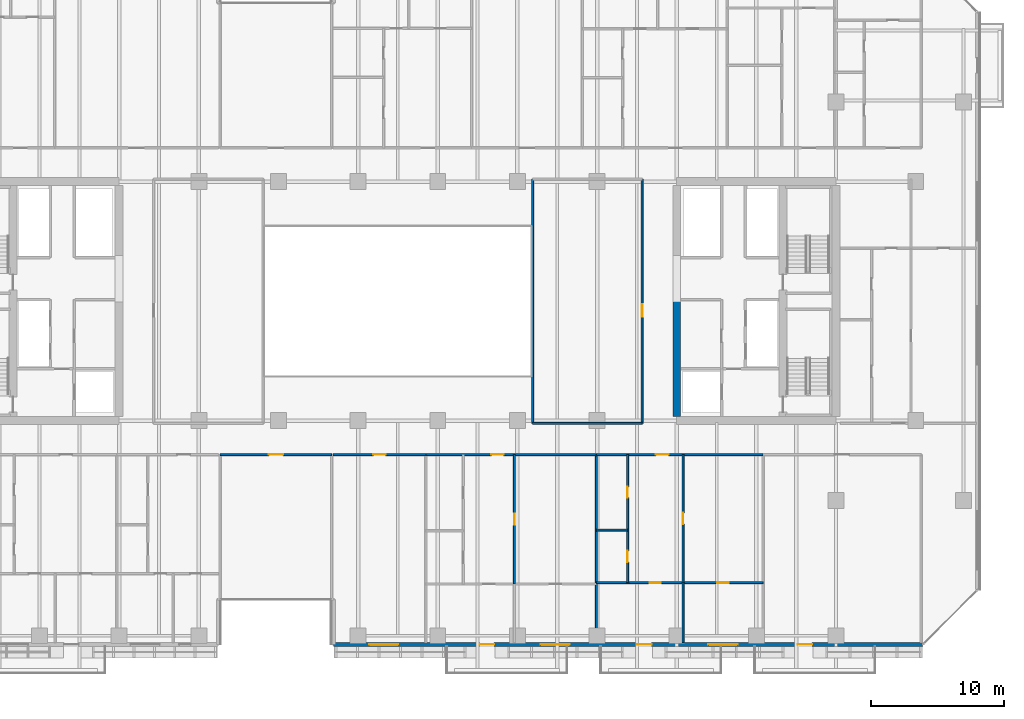
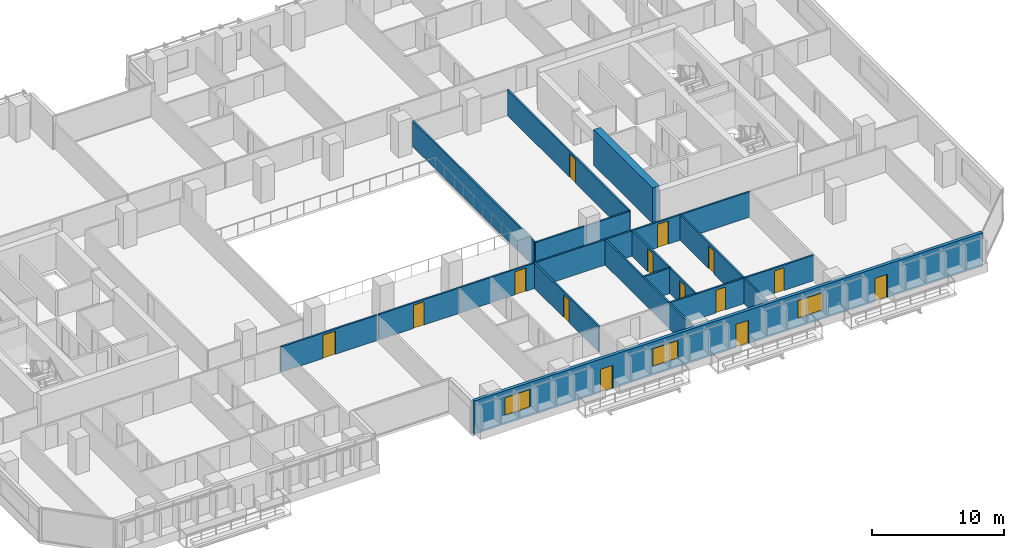
# One storey, part 20 of 33: 16 walls, 14 doors, 3 windows, 17 openings.
"""IFC4 building model written with IfcOpenShell, lengths in metres."""

from ifc_helpers import new_model, si_unit, direction, frame, frame_2d, origin, place, context, subcontext, project, spatial, rectangle, extrude, material, layer, layer_set, type_object, element, fill, save


model = new_model("IFC4")

# Units and contexts
model_context = context("Model", 3, precision=1e-05, world=origin(), true_north=direction((0.0, 1.0)))
body_context = subcontext(model_context, "Body", "Model", "MODEL_VIEW")
ifc_project = project(units=[si_unit("LENGTHUNIT", "METRE"), si_unit("AREAUNIT", "SQUARE_METRE"), si_unit("VOLUMEUNIT", "CUBIC_METRE"), si_unit("PLANEANGLEUNIT", "RADIAN"), si_unit("MASSUNIT", "GRAM", prefix="KILO")], contexts=[model_context])

# Site, building, storey
site_placement = place(None, origin())
site = spatial("IfcSite", under=ifc_project, at=site_placement, CompositionType="ELEMENT")
building_placement = place(site_placement, origin())
building = spatial("IfcBuilding", under=site, at=building_placement, Name="Tanjung Sevakor Pilgrim Tower", CompositionType="ELEMENT")
storey_placement = place(building_placement, frame((0.0, 0.0, 52.139892578125)))
storey = spatial("IfcBuildingStorey", under=building, at=storey_placement, Name="L14", CompositionType="ELEMENT", Elevation=52.139892578125)

# Walls
ifc_material_1 = material(Name="Concrete C60/75", Category="concrete")
ifc_layer_1 = layer(ifc_material_1, 0.60009765625)
ifc_layer_set_1 = layer_set([ifc_layer_1], Name="WALL-CW-600")
wall_type_1 = type_object("IfcWallType", Name="WALL-CW-600", PredefinedType="SHEAR", material=ifc_layer_set_1)
wall_1_placement = place(storey_placement, frame((78.0, 24.89990234375, 0.0), z_axis=(0.0, 0.0, 1.0), x_axis=(0.0, 1.0, 0.0)))
element("IfcWall", 1, at=wall_1_placement, inside=storey, type_object=wall_type_1, Name="L14 E Core Inner Shear Wall South", PredefinedType="SHEAR", context=body_context, shape_type="SweptSolid", body=[
    extrude(rectangle(XDim=8.900146484375, YDim=0.60009765625, at=frame_2d((4.4501953125, 0.0))), origin(), (0.0, 0.0, 1.0), 3.300048828125),
])
ifc_material_2 = material(Name="Concrete C40/50", Category="concrete")
ifc_layer_2 = layer(ifc_material_2, 0.14990234375)
ifc_layer_set_2 = layer_set([ifc_layer_2], Name="WT-COMP-150")
wall_type_2 = type_object("IfcWallType", Name="WT-COMP-150", PredefinedType="SOLIDWALL", material=ifc_layer_set_2)
wall_2_placement = place(storey_placement, frame((67.14990234375, 24.39990234375, 0.0), z_axis=(0.0, 0.0, 1.0), x_axis=(1.0, 0.0, 0.0)))
element("IfcWall", 2, at=wall_2_placement, inside=storey, type_object=wall_type_2, Name="L14 Partition IW-L14-025", PredefinedType="SOLIDWALL", context=body_context, shape_type="SweptSolid", body=[
    extrude(rectangle(XDim=8.25, YDim=0.14990234375, at=frame_2d((4.125, 0.0))), origin(), (0.0, 0.0, 1.0), 2.295166015625),
])
wall_3_placement = place(storey_placement, frame((67.14990234375, 24.39990234375, 0.0), z_axis=(0.0, 0.0, 1.0), x_axis=(0.0, 1.0, 0.0)))
element("IfcWall", 3, at=wall_3_placement, inside=storey, type_object=wall_type_2, Name="L14 Partition IW-L14-027", PredefinedType="SOLIDWALL", context=body_context, shape_type="SweptSolid", body=[
    extrude(rectangle(XDim=18.400146484375, YDim=0.14990234375, at=frame_2d((9.2001953125, 0.0))), origin(), (0.0, 0.0, 1.0), 2.35009765625),
])

# Wall, opening, door
wall_4_placement = place(storey_placement, frame((75.39990234375, 24.39990234375, 0.0), z_axis=(0.0, 0.0, 1.0), x_axis=(0.0, 1.0, 0.0)))
wall_4 = element("IfcWall", 4, at=wall_4_placement, inside=storey, type_object=wall_type_2, Name="L14 Partition IW-L14-028", PredefinedType="SOLIDWALL", context=body_context, shape_type="SweptSolid", body=[
    extrude(rectangle(XDim=18.400146484375, YDim=0.14990234375, at=frame_2d((9.2001953125, 0.0))), origin(), (0.0, 0.0, 1.0), 2.35009765625),
])
opening_1_placement = place(wall_4_placement, frame((8.02490234375, 0.0, 0.0)))
opening_1 = element("IfcOpeningElement", 5, at=opening_1_placement, cuts=wall_4, Name="Opening ID-RM1", PredefinedType="OPENING", context=body_context, shape_type="SweptSolid", body=[
    extrude(rectangle(XDim=0.949951171875, YDim=2.14990234375, at=frame_2d((0.47509765625, 1.074951171875))), frame((0.0, 0.0849609375, 0.0), z_axis=(0.0, -1.0, 0.0), x_axis=(1.0, 0.0, 0.0)), (0.0, 0.0, 1.0), 0.169921875),
])
ifc_material_3 = material(Name="Hardwood Timber", Category="wood")
door_type_1 = type_object("IfcDoorType", Name="DT-INT-950", OperationType="NOTDEFINED", PredefinedType="DOOR", material=ifc_material_3)
door_1_placement = place(opening_1_placement, origin())
door_1 = element("IfcDoor", 6, at=door_1_placement, inside=storey, type_object=door_type_1, Name="L14 Central East Room Door", OperationType="SINGLE_SWING_LEFT", OverallHeight=2.14990234375, OverallWidth=0.949951171875, PredefinedType="DOOR", context=body_context, shape_type="SweptSolid", body=[
    extrude(rectangle(XDim=0.949951171875, YDim=2.14990234375, at=frame_2d((0.47509765625, 1.074951171875))), frame((0.0, 0.02490234375, 0.0), z_axis=(0.0, -1.0, 0.0), x_axis=(1.0, 0.0, 0.0)), (0.0, 0.0, 1.0), 0.050048828125),
])
fill(opening_1, door_1)

wall_5_placement = place(storey_placement, frame((43.60009765625, 22.050048828125, 0.0), z_axis=(0.0, 0.0, 1.0), x_axis=(1.0, 0.0, 0.0)))
wall_5 = element("IfcWall", 7, at=wall_5_placement, inside=storey, type_object=wall_type_2, Name="L14 Partition IW-L14-036", PredefinedType="SOLIDWALL", context=body_context, shape_type="SweptSolid", body=[
    extrude(rectangle(XDim=8.39990234375, YDim=0.14990234375, at=frame_2d((4.199951171875, 0.0))), origin(), (0.0, 0.0, 1.0), 2.35009765625),
])
opening_2_placement = place(wall_5_placement, frame((3.64990234375, 0.0, 0.0)))
opening_2 = element("IfcOpeningElement", 8, at=opening_2_placement, cuts=wall_5, Name="Opening ID-RM2", PredefinedType="OPENING", context=body_context, shape_type="SweptSolid", body=[
    extrude(rectangle(XDim=1.10009765625, YDim=2.14990234375, at=frame_2d((0.550048828125, 1.074951171875))), frame((0.0, 0.0849609375, 0.0), z_axis=(0.0, -1.0, 0.0), x_axis=(1.0, 0.0, 0.0)), (0.0, 0.0, 1.0), 0.169921875),
])
ifc_material_4 = material(Name="Hardwood Timber", Category="wood")
door_type_2 = type_object("IfcDoorType", Name="DT-INT-1100", OperationType="NOTDEFINED", PredefinedType="DOOR", material=ifc_material_4)
door_2_placement = place(opening_2_placement, origin())
door_2 = element("IfcDoor", 9, at=door_2_placement, inside=storey, type_object=door_type_2, Name="L14 South Cleft Observatory Door", OperationType="SINGLE_SWING_LEFT", OverallHeight=2.14990234375, OverallWidth=1.10009765625, PredefinedType="DOOR", context=body_context, shape_type="SweptSolid", body=[
    extrude(rectangle(XDim=1.10009765625, YDim=2.14990234375, at=frame_2d((0.550048828125, 1.074951171875))), frame((0.0, 0.02490234375, 0.0), z_axis=(0.0, -1.0, 0.0), x_axis=(1.0, 0.0, 0.0)), (0.0, 0.0, 1.0), 0.050048828125),
])
fill(opening_2, door_2)

wall_6_placement = place(storey_placement, frame((52.1201171875, 22.050048828125, 0.0), z_axis=(0.0, 0.0, 1.0), x_axis=(1.0, 0.0, 0.0)))
wall_6 = element("IfcWall", 10, at=wall_6_placement, inside=storey, type_object=wall_type_2, Name="L14 Partition IW-L14-058", PredefinedType="SOLIDWALL", context=body_context, shape_type="SweptSolid", body=[
    extrude(rectangle(XDim=6.979736328125, YDim=0.14990234375, at=frame_2d((3.48974609375, 0.0))), origin(), (0.0, 0.0, 1.0), 2.35009765625),
])
opening_3_placement = place(wall_6_placement, frame((3.014892578125, 0.0, 0.0)))
opening_3 = element("IfcOpeningElement", 11, at=opening_3_placement, cuts=wall_6, Name="Opening ID-FD2", PredefinedType="OPENING", context=body_context, shape_type="SweptSolid", body=[
    extrude(rectangle(XDim=0.949951171875, YDim=2.14990234375, at=frame_2d((0.47509765625, 1.074951171875))), frame((0.0, 0.0849609375, 0.0), z_axis=(0.0, -1.0, 0.0), x_axis=(1.0, 0.0, 0.0)), (0.0, 0.0, 1.0), 0.169921875),
])
ifc_material_5 = material(Name="Fire-Rated Timber", Category="wood")
door_type_3 = type_object("IfcDoorType", Name="DT-FIRE-950", OperationType="NOTDEFINED", PredefinedType="DOOR", material=ifc_material_5)
door_3_placement = place(opening_3_placement, origin())
door_3 = element("IfcDoor", 12, at=door_3_placement, inside=storey, type_object=door_type_3, Name="Housekeeping Pantry Door", OperationType="SINGLE_SWING_RIGHT", OverallHeight=2.14990234375, OverallWidth=0.949951171875, PredefinedType="DOOR", context=body_context, shape_type="SweptSolid", body=[
    extrude(rectangle(XDim=0.949951171875, YDim=2.14990234375, at=frame_2d((0.47509765625, 1.074951171875))), frame((0.0, 0.02490234375, 0.0), z_axis=(0.0, -1.0, 0.0), x_axis=(1.0, 0.0, 0.0)), (0.0, 0.0, 1.0), 0.050048828125),
])
fill(opening_3, door_3)

# Wall
wall_7_placement = place(storey_placement, frame((71.942626953125, 7.8798828125, 0.0), z_axis=(0.0, 0.0, 1.0), x_axis=(0.0, 1.0, 0.0)))
element("IfcWall", 13, at=wall_7_placement, inside=storey, type_object=wall_type_2, Name="L14 Partition IW-L14-059", PredefinedType="SOLIDWALL", context=body_context, shape_type="SweptSolid", body=[
    extrude(rectangle(XDim=14.170166015625, YDim=0.14990234375, at=frame_2d((7.0849609375, 0.0))), origin(), (0.0, 0.0, 1.0), 2.35009765625),
])

# Wall, opening, door
wall_8_placement = place(storey_placement, frame((59.099853515625, 22.050048828125, 0.0), z_axis=(0.0, 0.0, 1.0), x_axis=(1.0, 0.0, 0.0)))
wall_8 = element("IfcWall", 14, at=wall_8_placement, inside=storey, type_object=wall_type_2, Name="L14 Partition IW-L14-065", PredefinedType="SOLIDWALL", context=body_context, shape_type="SweptSolid", body=[
    extrude(rectangle(XDim=12.8427734375, YDim=0.14990234375, at=frame_2d((6.42138671875, 0.0))), origin(), (0.0, 0.0, 1.0), 2.35009765625),
])
opening_4_placement = place(wall_8_placement, frame((4.916015625, 0.0, 0.0)))
opening_4 = element("IfcOpeningElement", 15, at=opening_4_placement, cuts=wall_8, Name="Opening ID-FD2", PredefinedType="OPENING", context=body_context, shape_type="SweptSolid", body=[
    extrude(rectangle(XDim=0.949951171875, YDim=2.14990234375, at=frame_2d((0.47509765625, 1.074951171875))), frame((0.0, 0.0849609375, 0.0), z_axis=(0.0, -1.0, 0.0), x_axis=(1.0, 0.0, 0.0)), (0.0, 0.0, 1.0), 0.169921875),
])
door_4_placement = place(opening_4_placement, origin())
door_4 = element("IfcDoor", 16, at=door_4_placement, inside=storey, type_object=door_type_3, Name="Suite Entrance", OperationType="SINGLE_SWING_RIGHT", OverallHeight=2.14990234375, OverallWidth=0.949951171875, PredefinedType="DOOR", context=body_context, shape_type="SweptSolid", body=[
    extrude(rectangle(XDim=0.949951171875, YDim=2.14990234375, at=frame_2d((0.47509765625, 1.074951171875))), frame((0.0, 0.02490234375, 0.0), z_axis=(0.0, -1.0, 0.0), x_axis=(1.0, 0.0, 0.0)), (0.0, 0.0, 1.0), 0.050048828125),
])
fill(opening_4, door_4)

wall_9_placement = place(storey_placement, frame((71.942626953125, 22.050048828125, 0.0), z_axis=(0.0, 0.0, 1.0), x_axis=(1.0, 0.0, 0.0)))
wall_9 = element("IfcWall", 17, at=wall_9_placement, inside=storey, type_object=wall_type_2, Name="L14 Partition IW-L14-072", PredefinedType="SOLIDWALL", context=body_context, shape_type="SweptSolid", body=[
    extrude(rectangle(XDim=12.563720703125, YDim=0.14990234375, at=frame_2d((6.28173828125, 0.0))), origin(), (0.0, 0.0, 1.0), 2.35009765625),
])
opening_5_placement = place(wall_9_placement, frame((4.493408203125, 0.0, 0.0)))
opening_5 = element("IfcOpeningElement", 18, at=opening_5_placement, cuts=wall_9, Name="Opening ID-FD2", PredefinedType="OPENING", context=body_context, shape_type="SweptSolid", body=[
    extrude(rectangle(XDim=0.949951171875, YDim=2.14990234375, at=frame_2d((0.47509765625, 1.074951171875))), frame((0.0, 0.0849609375, 0.0), z_axis=(0.0, -1.0, 0.0), x_axis=(1.0, 0.0, 0.0)), (0.0, 0.0, 1.0), 0.169921875),
])
door_5_placement = place(opening_5_placement, origin())
door_5 = element("IfcDoor", 19, at=door_5_placement, inside=storey, type_object=door_type_3, Name="Suite Entrance", OperationType="SINGLE_SWING_RIGHT", OverallHeight=2.14990234375, OverallWidth=0.949951171875, PredefinedType="DOOR", context=body_context, shape_type="SweptSolid", body=[
    extrude(rectangle(XDim=0.949951171875, YDim=2.14990234375, at=frame_2d((0.47509765625, 1.074951171875))), frame((0.0, 0.02490234375, 0.0), z_axis=(0.0, -1.0, 0.0), x_axis=(1.0, 0.0, 0.0)), (0.0, 0.0, 1.0), 0.050048828125),
])
fill(opening_5, door_5)

# Wall, openings, doors, windows
ifc_material_6 = material(Name="Precast concrete C45/55", Category="concrete")
ifc_layer_3 = layer(ifc_material_6, 0.280029296875)
ifc_layer_set_3 = layer_set([ifc_layer_3], Name="WT-EW-STN2")
wall_type_3 = type_object("IfcWallType", Name="WT-EW-STN2", PredefinedType="SOLIDWALL", material=ifc_layer_set_3)
wall_10_placement = place(storey_placement, frame((52.139892578125, 7.739990234375, 0.0), z_axis=(0.0, 0.0, 1.0), x_axis=(1.0, 0.0, 0.0)))
wall_10 = element("IfcWall", 20, at=wall_10_placement, inside=storey, type_object=wall_type_3, Name="L14 MAIN Exterior Wall 5", PredefinedType="SOLIDWALL", context=body_context, shape_type="SweptSolid", body=[
    extrude(rectangle(XDim=44.402099609375, YDim=0.280029296875, at=frame_2d((22.201171875, 0.0))), origin(), (0.0, 0.0, 1.0), 3.080078125),
])
opening_6_placement = place(wall_10_placement, frame((11.010009765625, 0.0, 0.0)))
opening_6 = element("IfcOpeningElement", 21, at=opening_6_placement, cuts=wall_10, Name="Opening ED-BAL-1100", PredefinedType="OPENING", context=body_context, shape_type="SweptSolid", body=[
    extrude(rectangle(XDim=1.10009765625, YDim=2.14990234375, at=frame_2d((0.550048828125, 1.074951171875))), frame((0.0, 0.14990234375, 0.0), z_axis=(0.0, -1.0, 0.0), x_axis=(1.0, 0.0, 0.0)), (0.0, 0.0, 1.0), 0.300048828125),
])
opening_7_placement = place(wall_10_placement, frame((22.860107421875, 0.0, 0.0)))
opening_7 = element("IfcOpeningElement", 22, at=opening_7_placement, cuts=wall_10, Name="Opening ED-BAL-1100", PredefinedType="OPENING", context=body_context, shape_type="SweptSolid", body=[
    extrude(rectangle(XDim=1.10009765625, YDim=2.14990234375, at=frame_2d((0.550048828125, 1.074951171875))), frame((0.0, 0.14990234375, 0.0), z_axis=(0.0, -1.0, 0.0), x_axis=(1.0, 0.0, 0.0)), (0.0, 0.0, 1.0), 0.300048828125),
])
opening_8_placement = place(wall_10_placement, frame((34.9599609375, 0.0, 0.0)))
opening_8 = element("IfcOpeningElement", 23, at=opening_8_placement, cuts=wall_10, Name="Opening ED-BAL-1100", PredefinedType="OPENING", context=body_context, shape_type="SweptSolid", body=[
    extrude(rectangle(XDim=1.10009765625, YDim=2.14990234375, at=frame_2d((0.550048828125, 1.074951171875))), frame((0.0, 0.14990234375, 0.0), z_axis=(0.0, -1.0, 0.0), x_axis=(1.0, 0.0, 0.0)), (0.0, 0.0, 1.0), 0.300048828125),
])
opening_9_placement = place(wall_10_placement, frame((2.68994140625, 0.0, 0.780029296875)))
opening_9 = element("IfcOpeningElement", 24, at=opening_9_placement, cuts=wall_10, Name="Opening WN-Z1-1660", PredefinedType="OPENING", context=body_context, shape_type="SweptSolid", body=[
    extrude(rectangle(XDim=2.199951171875, YDim=1.659912109375, at=frame_2d((1.10009765625, 0.830078125))), frame((0.0, 0.14990234375, 0.0), z_axis=(0.0, -1.0, 0.0), x_axis=(1.0, 0.0, 0.0)), (0.0, 0.0, 1.0), 0.300048828125),
])
opening_10_placement = place(wall_10_placement, frame((15.6103515625, 0.0, 0.780029296875)))
opening_10 = element("IfcOpeningElement", 25, at=opening_10_placement, cuts=wall_10, Name="Opening WN-Z1-1660", PredefinedType="OPENING", context=body_context, shape_type="SweptSolid", body=[
    extrude(rectangle(XDim=2.199951171875, YDim=1.659912109375, at=frame_2d((1.10009765625, 0.830078125))), frame((0.0, 0.14990234375, 0.0), z_axis=(0.0, -1.0, 0.0), x_axis=(1.0, 0.0, 0.0)), (0.0, 0.0, 1.0), 0.300048828125),
])
opening_11_placement = place(wall_10_placement, frame((28.2412109375, 0.0, 0.780029296875)))
opening_11 = element("IfcOpeningElement", 26, at=opening_11_placement, cuts=wall_10, Name="Opening WN-Z1-1660", PredefinedType="OPENING", context=body_context, shape_type="SweptSolid", body=[
    extrude(rectangle(XDim=2.199951171875, YDim=1.659912109375, at=frame_2d((1.10009765625, 0.830078125))), frame((0.0, 0.14990234375, 0.0), z_axis=(0.0, -1.0, 0.0), x_axis=(1.0, 0.0, 0.0)), (0.0, 0.0, 1.0), 0.300048828125),
])
ifc_material_7 = material(Name="Anodised Aluminium and Laminated Glass", Category="aluminium")
door_type_4 = type_object("IfcDoorType", Name="DTYP-ED-BAL-1100", OperationType="NOTDEFINED", PredefinedType="DOOR", material=ifc_material_7)
door_6_placement = place(opening_6_placement, frame((1.10009765625, 0.0, 0.0), z_axis=(0.0, 0.0, 1.0), x_axis=(-1.0, 0.0, 0.0)))
door_6 = element("IfcDoor", 27, at=door_6_placement, inside=storey, type_object=door_type_4, Name="L14 Balcony Door MAIN-S2", OperationType="SINGLE_SWING_LEFT", OverallHeight=2.14990234375, OverallWidth=1.10009765625, PredefinedType="DOOR", context=body_context, shape_type="SweptSolid", body=[
    extrude(rectangle(XDim=1.10009765625, YDim=2.14990234375, at=frame_2d((0.550048828125, 1.074951171875))), frame((0.0, 0.02490234375, 0.0), z_axis=(0.0, -1.0, 0.0), x_axis=(1.0, 0.0, 0.0)), (0.0, 0.0, 1.0), 0.050048828125),
])
fill(opening_6, door_6)
door_7_placement = place(opening_7_placement, frame((1.10009765625, 0.0, 0.0), z_axis=(0.0, 0.0, 1.0), x_axis=(-1.0, 0.0, 0.0)))
door_7 = element("IfcDoor", 28, at=door_7_placement, inside=storey, type_object=door_type_4, Name="L14 Balcony Door MAIN-S3", OperationType="SINGLE_SWING_RIGHT", OverallHeight=2.14990234375, OverallWidth=1.10009765625, PredefinedType="DOOR", context=body_context, shape_type="SweptSolid", body=[
    extrude(rectangle(XDim=1.10009765625, YDim=2.14990234375, at=frame_2d((0.550048828125, 1.074951171875))), frame((0.0, 0.02490234375, 0.0), z_axis=(0.0, -1.0, 0.0), x_axis=(1.0, 0.0, 0.0)), (0.0, 0.0, 1.0), 0.050048828125),
])
fill(opening_7, door_7)
door_8_placement = place(opening_8_placement, frame((1.10009765625, 0.0, 0.0), z_axis=(0.0, 0.0, 1.0), x_axis=(-1.0, 0.0, 0.0)))
door_8 = element("IfcDoor", 29, at=door_8_placement, inside=storey, type_object=door_type_4, Name="L14 Balcony Door MAIN-S4", OperationType="SINGLE_SWING_LEFT", OverallHeight=2.14990234375, OverallWidth=1.10009765625, PredefinedType="DOOR", context=body_context, shape_type="SweptSolid", body=[
    extrude(rectangle(XDim=1.10009765625, YDim=2.14990234375, at=frame_2d((0.550048828125, 1.074951171875))), frame((0.0, 0.02490234375, 0.0), z_axis=(0.0, -1.0, 0.0), x_axis=(1.0, 0.0, 0.0)), (0.0, 0.0, 1.0), 0.050048828125),
])
fill(opening_8, door_8)
ifc_material_8 = material(Name="Thermally Broken Aluminium and Low-E Glass", Category="aluminium")
window_type = type_object("IfcWindowType", Name="WTYP-WN-Z1-1660", PartitioningType="DOUBLE_PANEL_VERTICAL", PredefinedType="WINDOW", material=ifc_material_8)
window_1_placement = place(opening_9_placement, origin())
window_1 = element("IfcWindow", 30, at=window_1_placement, inside=storey, type_object=window_type, Name="L14 Facade Window 01", OverallHeight=1.659912109375, OverallWidth=2.199951171875, PartitioningType="SINGLE_PANEL", PredefinedType="WINDOW", context=body_context, shape_type="SweptSolid", body=[
    extrude(rectangle(XDim=2.199951171875, YDim=1.659912109375, at=frame_2d((1.10009765625, 0.830078125))), frame((0.0, 0.030029296875, 0.0), z_axis=(0.0, -1.0, 0.0), x_axis=(1.0, 0.0, 0.0)), (0.0, 0.0, 1.0), 0.06005859375),
])
fill(opening_9, window_1)
window_2_placement = place(opening_10_placement, origin())
window_2 = element("IfcWindow", 31, at=window_2_placement, inside=storey, type_object=window_type, Name="L14 Facade Window 02", OverallHeight=1.659912109375, OverallWidth=2.199951171875, PartitioningType="SINGLE_PANEL", PredefinedType="WINDOW", context=body_context, shape_type="SweptSolid", body=[
    extrude(rectangle(XDim=2.199951171875, YDim=1.659912109375, at=frame_2d((1.10009765625, 0.830078125))), frame((0.0, 0.030029296875, 0.0), z_axis=(0.0, -1.0, 0.0), x_axis=(1.0, 0.0, 0.0)), (0.0, 0.0, 1.0), 0.06005859375),
])
fill(opening_10, window_2)
window_3_placement = place(opening_11_placement, origin())
window_3 = element("IfcWindow", 32, at=window_3_placement, inside=storey, type_object=window_type, Name="L14 Facade Window 03", OverallHeight=1.659912109375, OverallWidth=2.199951171875, PartitioningType="SINGLE_PANEL", PredefinedType="WINDOW", context=body_context, shape_type="SweptSolid", body=[
    extrude(rectangle(XDim=2.199951171875, YDim=1.659912109375, at=frame_2d((1.10009765625, 0.830078125))), frame((0.0, 0.030029296875, 0.0), z_axis=(0.0, -1.0, 0.0), x_axis=(1.0, 0.0, 0.0)), (0.0, 0.0, 1.0), 0.06005859375),
])
fill(opening_11, window_3)

# Wall, opening, door
ifc_material_9 = material(Name="Gypsum Board Partition", Category="gypsum board")
ifc_layer_4 = layer(ifc_material_9, 0.14990234375)
ifc_layer_set_4 = layer_set([ifc_layer_4], Name="WT-PART-150")
wall_type_4 = type_object("IfcWallType", Name="WT-PART-150", PredefinedType="PARTITIONING", material=ifc_layer_set_4)
wall_11_placement = place(storey_placement, frame((65.778076171875, 12.29736328125, 0.0), z_axis=(0.0, 0.0, 1.0), x_axis=(0.0, 1.0, 0.0)))
wall_11 = element("IfcWall", 33, at=wall_11_placement, inside=storey, type_object=wall_type_4, Name="L14 Partition IW-L14-060", PredefinedType="PARTITIONING", context=body_context, shape_type="SweptSolid", body=[
    extrude(rectangle(XDim=9.752685546875, YDim=0.14990234375, at=frame_2d((4.87646484375, 0.0))), origin(), (0.0, 0.0, 1.0), 2.35009765625),
])
opening_12_placement = place(wall_11_placement, frame((4.451416015625, 0.0, 0.0)))
opening_12 = element("IfcOpeningElement", 34, at=opening_12_placement, cuts=wall_11, Name="Opening ID-WC1", PredefinedType="OPENING", context=body_context, shape_type="SweptSolid", body=[
    extrude(rectangle(XDim=0.85009765625, YDim=2.10009765625, at=frame_2d((0.425048828125, 1.050048828125))), frame((0.0, 0.0849609375, 0.0), z_axis=(0.0, -1.0, 0.0), x_axis=(1.0, 0.0, 0.0)), (0.0, 0.0, 1.0), 0.169921875),
])
ifc_material_10 = material(Name="Moisture-Resistant Timber", Category="wood")
door_type_5 = type_object("IfcDoorType", Name="DT-INT-850", OperationType="NOTDEFINED", PredefinedType="DOOR", material=ifc_material_10)
door_9_placement = place(opening_12_placement, origin())
door_9 = element("IfcDoor", 35, at=door_9_placement, inside=storey, type_object=door_type_5, Name="Suite Study Room Door", OperationType="SINGLE_SWING_LEFT", OverallHeight=2.10009765625, OverallWidth=0.85009765625, PredefinedType="DOOR", context=body_context, shape_type="SweptSolid", body=[
    extrude(rectangle(XDim=0.85009765625, YDim=2.10009765625, at=frame_2d((0.425048828125, 1.050048828125))), frame((0.0, 0.02490234375, 0.0), z_axis=(0.0, -1.0, 0.0), x_axis=(1.0, 0.0, 0.0)), (0.0, 0.0, 1.0), 0.050048828125),
])
fill(opening_12, door_9)

wall_12_placement = place(storey_placement, frame((78.475830078125, 12.3955078125, 0.0), z_axis=(0.0, 0.0, 1.0), x_axis=(0.0, 1.0, 0.0)))
wall_12 = element("IfcWall", 36, at=wall_12_placement, inside=storey, type_object=wall_type_4, Name="L14 Partition IW-L14-067", PredefinedType="PARTITIONING", context=body_context, shape_type="SweptSolid", body=[
    extrude(rectangle(XDim=9.654541015625, YDim=0.14990234375, at=frame_2d((4.8271484375, 0.0))), origin(), (0.0, 0.0, 1.0), 2.35009765625),
])
opening_13_placement = place(wall_12_placement, frame((4.40234375, 0.0, 0.0)))
opening_13 = element("IfcOpeningElement", 37, at=opening_13_placement, cuts=wall_12, Name="Opening ID-WC1", PredefinedType="OPENING", context=body_context, shape_type="SweptSolid", body=[
    extrude(rectangle(XDim=0.85009765625, YDim=2.10009765625, at=frame_2d((0.425048828125, 1.050048828125))), frame((0.0, 0.0849609375, 0.0), z_axis=(0.0, -1.0, 0.0), x_axis=(1.0, 0.0, 0.0)), (0.0, 0.0, 1.0), 0.169921875),
])
door_10_placement = place(opening_13_placement, origin())
door_10 = element("IfcDoor", 38, at=door_10_placement, inside=storey, type_object=door_type_5, Name="Suite Study Room Door", OperationType="SINGLE_SWING_LEFT", OverallHeight=2.10009765625, OverallWidth=0.85009765625, PredefinedType="DOOR", context=body_context, shape_type="SweptSolid", body=[
    extrude(rectangle(XDim=0.85009765625, YDim=2.10009765625, at=frame_2d((0.425048828125, 1.050048828125))), frame((0.0, 0.02490234375, 0.0), z_axis=(0.0, -1.0, 0.0), x_axis=(1.0, 0.0, 0.0)), (0.0, 0.0, 1.0), 0.050048828125),
])
fill(opening_13, door_10)

# Wall
wall_13_placement = place(storey_placement, frame((71.942626953125, 16.353759765625, 0.0), z_axis=(0.0, 0.0, 1.0), x_axis=(1.0, 0.0, 0.0)))
element("IfcWall", 39, at=wall_13_placement, inside=storey, type_object=wall_type_4, Name="L14 Partition IW-L14-068", PredefinedType="PARTITIONING", context=body_context, shape_type="SweptSolid", body=[
    extrude(rectangle(XDim=2.35009765625, YDim=0.14990234375, at=frame_2d((1.175048828125, 0.0))), origin(), (0.0, 0.0, 1.0), 2.35009765625),
])

# Wall, openings, doors
wall_14_placement = place(storey_placement, frame((74.292724609375, 12.3955078125, 0.0), z_axis=(0.0, 0.0, 1.0), x_axis=(0.0, 1.0, 0.0)))
wall_14 = element("IfcWall", 40, at=wall_14_placement, inside=storey, type_object=wall_type_4, Name="L14 Partition IW-L14-069", PredefinedType="PARTITIONING", context=body_context, shape_type="SweptSolid", body=[
    extrude(rectangle(XDim=9.654541015625, YDim=0.14990234375, at=frame_2d((4.8271484375, 0.0))), origin(), (0.0, 0.0, 1.0), 2.35009765625),
])
opening_14_placement = place(wall_14_placement, frame((1.55419921875, 0.0, 0.0)))
opening_14 = element("IfcOpeningElement", 41, at=opening_14_placement, cuts=wall_14, Name="Opening ID-WC1", PredefinedType="OPENING", context=body_context, shape_type="SweptSolid", body=[
    extrude(rectangle(XDim=0.85009765625, YDim=2.10009765625, at=frame_2d((0.425048828125, 1.050048828125))), frame((0.0, 0.0849609375, 0.0), z_axis=(0.0, -1.0, 0.0), x_axis=(1.0, 0.0, 0.0)), (0.0, 0.0, 1.0), 0.169921875),
])
opening_15_placement = place(wall_14_placement, frame((6.38134765625, 0.0, 0.0)))
opening_15 = element("IfcOpeningElement", 42, at=opening_15_placement, cuts=wall_14, Name="Opening ID-WC1", PredefinedType="OPENING", context=body_context, shape_type="SweptSolid", body=[
    extrude(rectangle(XDim=0.85009765625, YDim=2.10009765625, at=frame_2d((0.425048828125, 1.050048828125))), frame((0.0, 0.0849609375, 0.0), z_axis=(0.0, -1.0, 0.0), x_axis=(1.0, 0.0, 0.0)), (0.0, 0.0, 1.0), 0.169921875),
])
door_11_placement = place(opening_14_placement, origin())
door_11 = element("IfcDoor", 43, at=door_11_placement, inside=storey, type_object=door_type_5, Name="Suite Bathroom Door", OperationType="SINGLE_SWING_RIGHT", OverallHeight=2.10009765625, OverallWidth=0.85009765625, PredefinedType="DOOR", context=body_context, shape_type="SweptSolid", body=[
    extrude(rectangle(XDim=0.85009765625, YDim=2.10009765625, at=frame_2d((0.425048828125, 1.050048828125))), frame((0.0, 0.02490234375, 0.0), z_axis=(0.0, -1.0, 0.0), x_axis=(1.0, 0.0, 0.0)), (0.0, 0.0, 1.0), 0.050048828125),
])
fill(opening_14, door_11)
door_12_placement = place(opening_15_placement, origin())
door_12 = element("IfcDoor", 44, at=door_12_placement, inside=storey, type_object=door_type_5, Name="Suite Kitchenette Door", OperationType="SINGLE_SWING_LEFT", OverallHeight=2.10009765625, OverallWidth=0.85009765625, PredefinedType="DOOR", context=body_context, shape_type="SweptSolid", body=[
    extrude(rectangle(XDim=0.85009765625, YDim=2.10009765625, at=frame_2d((0.425048828125, 1.050048828125))), frame((0.0, 0.02490234375, 0.0), z_axis=(0.0, -1.0, 0.0), x_axis=(1.0, 0.0, 0.0)), (0.0, 0.0, 1.0), 0.050048828125),
])
fill(opening_15, door_12)

# Wall
wall_15_placement = place(storey_placement, frame((78.475830078125, 7.8798828125, 0.0), z_axis=(0.0, 0.0, 1.0), x_axis=(0.0, 1.0, 0.0)))
element("IfcWall", 45, at=wall_15_placement, inside=storey, type_object=wall_type_4, Name="L14 Partition IW-L14-070", PredefinedType="PARTITIONING", context=body_context, shape_type="SweptSolid", body=[
    extrude(rectangle(XDim=4.515625, YDim=0.14990234375, at=frame_2d((2.2578125, 0.0))), origin(), (0.0, 0.0, 1.0), 2.35009765625),
])

# Wall, openings, doors
wall_16_placement = place(storey_placement, frame((71.942626953125, 12.3955078125, 0.0), z_axis=(0.0, 0.0, 1.0), x_axis=(1.0, 0.0, 0.0)))
wall_16 = element("IfcWall", 46, at=wall_16_placement, inside=storey, type_object=wall_type_4, Name="L14 Partition IW-L14-071", PredefinedType="PARTITIONING", context=body_context, shape_type="SweptSolid", body=[
    extrude(rectangle(XDim=12.563720703125, YDim=0.14990234375, at=frame_2d((6.28173828125, 0.0))), origin(), (0.0, 0.0, 1.0), 2.35009765625),
])
opening_16_placement = place(wall_16_placement, frame((4.0166015625, 0.0, 0.0)))
opening_16 = element("IfcOpeningElement", 47, at=opening_16_placement, cuts=wall_16, Name="Opening ID-WC1", PredefinedType="OPENING", context=body_context, shape_type="SweptSolid", body=[
    extrude(rectangle(XDim=0.85009765625, YDim=2.10009765625, at=frame_2d((0.425048828125, 1.050048828125))), frame((0.0, 0.0849609375, 0.0), z_axis=(0.0, -1.0, 0.0), x_axis=(1.0, 0.0, 0.0)), (0.0, 0.0, 1.0), 0.169921875),
])
opening_17_placement = place(wall_16_placement, frame((9.123291015625, 0.0, 0.0)))
opening_17 = element("IfcOpeningElement", 48, at=opening_17_placement, cuts=wall_16, Name="Opening ID-WC1", PredefinedType="OPENING", context=body_context, shape_type="SweptSolid", body=[
    extrude(rectangle(XDim=0.85009765625, YDim=2.10009765625, at=frame_2d((0.425048828125, 1.050048828125))), frame((0.0, 0.0849609375, 0.0), z_axis=(0.0, -1.0, 0.0), x_axis=(1.0, 0.0, 0.0)), (0.0, 0.0, 1.0), 0.169921875),
])
door_13_placement = place(opening_16_placement, origin())
door_13 = element("IfcDoor", 49, at=door_13_placement, inside=storey, type_object=door_type_5, Name="Suite Bedroom 1 Door", OperationType="SINGLE_SWING_RIGHT", OverallHeight=2.10009765625, OverallWidth=0.85009765625, PredefinedType="DOOR", context=body_context, shape_type="SweptSolid", body=[
    extrude(rectangle(XDim=0.85009765625, YDim=2.10009765625, at=frame_2d((0.425048828125, 1.050048828125))), frame((0.0, 0.02490234375, 0.0), z_axis=(0.0, -1.0, 0.0), x_axis=(1.0, 0.0, 0.0)), (0.0, 0.0, 1.0), 0.050048828125),
])
fill(opening_16, door_13)
door_14_placement = place(opening_17_placement, origin())
door_14 = element("IfcDoor", 50, at=door_14_placement, inside=storey, type_object=door_type_5, Name="Suite Bedroom 2 Door", OperationType="SINGLE_SWING_LEFT", OverallHeight=2.10009765625, OverallWidth=0.85009765625, PredefinedType="DOOR", context=body_context, shape_type="SweptSolid", body=[
    extrude(rectangle(XDim=0.85009765625, YDim=2.10009765625, at=frame_2d((0.425048828125, 1.050048828125))), frame((0.0, 0.02490234375, 0.0), z_axis=(0.0, -1.0, 0.0), x_axis=(1.0, 0.0, 0.0)), (0.0, 0.0, 1.0), 0.050048828125),
])
fill(opening_17, door_14)

save(model, "model.ifc")
